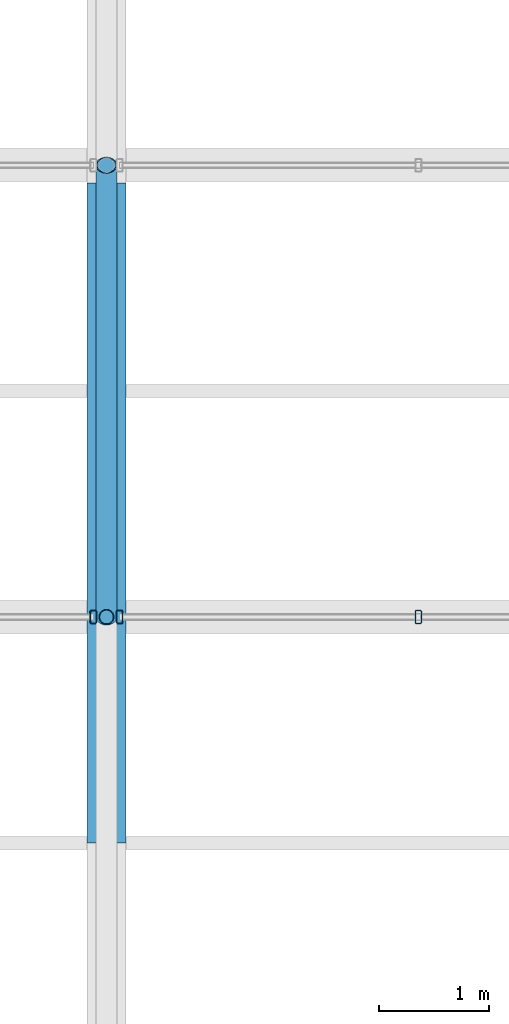
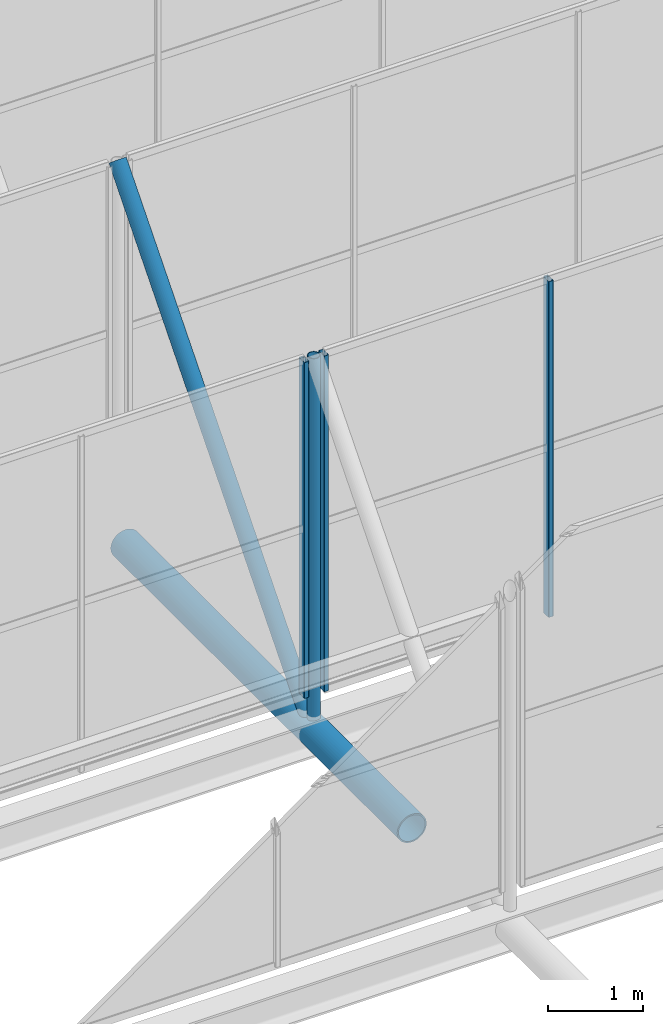
# One storey, part 24 of 77: 6 members, 2 elements without a shape of their own.
"""IFC4 building model written with IfcOpenShell, lengths in metres."""

import ifcopenshell
import ifcopenshell.guid

model = None  # the IFC model being written
_history = None  # IfcOwnerHistory: only IFC2X3 demands one
_inside = {}  # id of a spatial element -> (the spatial element, [elements in it])
_under = {}  # id of a project, library or spatial element -> (it, [spatial elements below it])
_declared = {}  # id of a project -> (the project, [libraries it declares])
_typed = {}  # id of a type object -> (the type object, [elements of that type])
_made_of = {}  # id of a material, layer set ... -> (it, [elements and type objects made of it])


def new_model(schema):
    """Start an empty IFC model of exactly this schema.

    Asked for "IFC4X3", IfcOpenShell would pick the latest addendum, in which some entities
    have other attributes; the version numbers below select the first issue.
    IFC2X3 requires an IfcOwnerHistory on every rooted entity: one is made here for all.
    """
    global model, _history
    if schema == "IFC4X3":
        model = ifcopenshell.file(schema_version=(4, 3, 0, 0))
    else:
        model = ifcopenshell.file(schema=schema)
    _inside.clear()
    _under.clear()
    _declared.clear()
    _typed.clear()
    _made_of.clear()
    _history = None
    if model.schema == "IFC2X3":
        org = make("IfcOrganization", Name="unknown")
        user = make(
            "IfcPersonAndOrganization",
            ThePerson=make("IfcPerson", FamilyName="unknown"),
            TheOrganization=org,
        )
        app = make(
            "IfcApplication",
            ApplicationDeveloper=org,
            Version="unknown",
            ApplicationFullName="unknown",
            ApplicationIdentifier="unknown",
        )
        _history = make(
            "IfcOwnerHistory",
            OwningUser=user,
            OwningApplication=app,
            ChangeAction="ADDED",
            CreationDate=0,
        )
    return model


def make(cls, **values):
    """One entity of the class cls with the attributes given. An attribute that is None is left unset."""
    return model.create_entity(
        cls, **{name: value for name, value in values.items() if value is not None}
    )


def rooted(cls, **values):
    """An entity with a GlobalId (a new one), such as an element, a storey or a relation."""
    return make(cls, GlobalId=ifcopenshell.guid.new(), OwnerHistory=_history, **values)


def si_unit(unit_type, name, prefix=None):
    """IfcSIUnit, for example si_unit("LENGTHUNIT", "METRE", prefix="MILLI")."""
    return make("IfcSIUnit", UnitType=unit_type, Prefix=prefix, Name=name)


def derived_unit(unit_type, elements):
    """IfcDerivedUnit: a product of units, each with its exponent."""
    return make(
        "IfcDerivedUnit",
        Elements=[
            make("IfcDerivedUnitElement", Unit=unit, Exponent=power)
            for unit, power in elements
        ],
        UnitType=unit_type,
    )


def assignment(units):
    """IfcUnitAssignment: the units of a project."""
    return None if units is None else make("IfcUnitAssignment", Units=units)


def point(xyz):
    """IfcCartesianPoint."""
    return None if xyz is None else make("IfcCartesianPoint", Coordinates=xyz)


def direction(xyz):
    """IfcDirection."""
    return None if xyz is None else make("IfcDirection", DirectionRatios=xyz)


def frame(location, z_axis=None, x_axis=None):
    """IfcAxis2Placement3D, a coordinate frame: its origin and axes. An axis left out is left unset."""
    return make(
        "IfcAxis2Placement3D",
        Location=point(location),
        Axis=direction(z_axis),
        RefDirection=direction(x_axis),
    )


def frame_2d(location, x_axis=None):
    """IfcAxis2Placement2D, a coordinate frame in the plane: its origin and x axis."""
    return make(
        "IfcAxis2Placement2D", Location=point(location), RefDirection=direction(x_axis)
    )


def origin():
    """The frame at (0, 0, 0) with its axes left unset."""
    return frame((0.0, 0.0, 0.0))


def origin_2d():
    """The frame at (0, 0) in the plane with its x axis left unset."""
    return frame_2d((0.0, 0.0))


def place(relative_to, where):
    """IfcLocalPlacement: puts the frame where relative to a parent placement (None: the world)."""
    return make(
        "IfcLocalPlacement", PlacementRelTo=relative_to, RelativePlacement=where
    )


def context(
    kind, dimensions, precision=None, world=None, true_north=None, identifier=None
):
    """IfcGeometricRepresentationContext, for example the 3D "Model" context."""
    return make(
        "IfcGeometricRepresentationContext",
        ContextIdentifier=identifier,
        ContextType=kind,
        CoordinateSpaceDimension=dimensions,
        Precision=precision,
        WorldCoordinateSystem=world,
        TrueNorth=true_north,
    )


def subcontext(parent, identifier, kind, view, scale=None):
    """IfcGeometricRepresentationSubContext, for example "Body" below "Model"."""
    return make(
        "IfcGeometricRepresentationSubContext",
        ContextIdentifier=identifier,
        ContextType=kind,
        ParentContext=parent,
        TargetScale=scale,
        TargetView=view,
    )


def project(units=None, contexts=None):
    """IfcProject with its units and contexts."""
    return rooted(
        "IfcProject",
        Name="project",
        RepresentationContexts=contexts,
        UnitsInContext=assignment(units),
    )


def spatial(cls, under=None, at=None, **own):
    """A site, building, storey or space (cls), placed at a placement, below another one or the project."""
    s = rooted(cls, ObjectPlacement=at, **own)
    if under is not None:
        _under.setdefault(under.id(), (under, []))[1].append(s)
    return s


def profile(cls, at=None, kind="AREA", **sizes):
    """A parametric profile (cls). Its sizes go by their IFC names, for example OverallWidth=200.0."""
    return make(cls, ProfileType=kind, Position=at, **sizes)


def hollow_rectangle(**sizes):
    """IfcRectangleHollowProfileDef."""
    return profile("IfcRectangleHollowProfileDef", **sizes)


def hollow_circle(**sizes):
    """IfcCircleHollowProfileDef."""
    return profile("IfcCircleHollowProfileDef", **sizes)


def extrude(swept, where, along, depth):
    """IfcExtrudedAreaSolid: the profile swept, set in the frame where, extruded along a direction by depth."""
    return make(
        "IfcExtrudedAreaSolid",
        SweptArea=swept,
        Position=where,
        ExtrudedDirection=direction(along),
        Depth=depth,
    )


def shape(context_of_items, identifier, shape_type, items):
    """IfcShapeRepresentation: the items that make up one representation, for example the "Body"."""
    return make(
        "IfcShapeRepresentation",
        ContextOfItems=context_of_items,
        RepresentationIdentifier=identifier,
        RepresentationType=shape_type,
        Items=items,
    )


def material(Name=None, Category=None):
    """IfcMaterial."""
    return make("IfcMaterial", Name=Name, Category=Category)


def material_profile(
    of_material, cross_section, Name=None, Category=None, Priority=None
):
    """IfcMaterialProfile: a cross section and its material."""
    return make(
        "IfcMaterialProfile",
        Name=Name,
        Material=of_material,
        Profile=cross_section,
        Priority=Priority,
        Category=Category,
    )


def profile_set(profiles, Name=None, composite=None):
    """IfcMaterialProfileSet."""
    return make(
        "IfcMaterialProfileSet",
        Name=Name,
        MaterialProfiles=profiles,
        CompositeProfile=composite,
    )


def made_of(thing, what):
    """Note that an element or type object is made of a material, layer set ...; save() writes the relation."""
    if what is not None:
        _made_of.setdefault(what.id(), (what, []))[1].append(thing)
    return thing


def type_object(cls, material=None, **own):
    """A type object (cls), such as IfcWallType, which elements share."""
    return made_of(rooted(cls, **own), material)


def element(
    cls,
    number,
    at=None,
    inside=None,
    cuts=None,
    type_object=None,
    material=None,
    context=None,
    identifier="Body",
    shape_type=None,
    held_by="IfcProductDefinitionShape",
    body=None,
    shapes=None,
    **own,
):
    """One element of the class cls, such as IfcWall. Its Tag is "e" and its number.

    at: its placement. inside: the storey or other place that contains it. cuts: it is an
    opening in that element (IfcRelVoidsElement). A single representation is given by context,
    identifier, shape_type and body (its items); several are given by shapes. held_by: the class
    of the entity that holds the representations. save() writes the other relations.
    """
    e = rooted(cls, Tag="e%d" % number, ObjectPlacement=at, **own)
    if body is not None:
        shapes = [shape(context, identifier, shape_type, body)]
    if shapes is not None:
        e.Representation = make(held_by, Representations=shapes)
    if inside is not None:
        _inside.setdefault(inside.id(), (inside, []))[1].append(e)
    if cuts is not None:
        rooted(
            "IfcRelVoidsElement", RelatingBuildingElement=cuts, RelatedOpeningElement=e
        )
    if type_object is not None:
        _typed.setdefault(type_object.id(), (type_object, []))[1].append(e)
    return made_of(e, material)


def aggregate(whole, parts):
    """IfcRelAggregates: a whole, such as a stair, and the parts it consists of."""
    return rooted("IfcRelAggregates", RelatingObject=whole, RelatedObjects=parts)


def save(model, path):
    """Write the relations noted so far, then the file.

    IfcRelAggregates (storeys below a building ...), IfcRelContainedInSpatialStructure (elements
    in a storey), IfcRelDefinesByType, IfcRelAssociatesMaterial and IfcRelDeclares: one each for
    every whole, place, type object, material and project.
    """
    for whole, parts in _under.values():
        aggregate(whole, parts)
    for where, things in _inside.values():
        rooted(
            "IfcRelContainedInSpatialStructure",
            RelatedElements=things,
            RelatingStructure=where,
        )
    for kind, things in _typed.values():
        rooted("IfcRelDefinesByType", RelatedObjects=things, RelatingType=kind)
    for what, things in _made_of.values():
        rooted("IfcRelAssociatesMaterial", RelatedObjects=things, RelatingMaterial=what)
    for by, libraries in _declared.values():
        rooted("IfcRelDeclares", RelatingContext=by, RelatedDefinitions=libraries)
    model.write(path)


model = new_model("IFC4")

# Units and contexts
model_context = context("Model", 3, precision=1e-05, world=origin(), true_north=direction((0.0, 1.0)))
body_context = subcontext(model_context, "Body", "Model", "MODEL_VIEW")
ifc_project = project(units=[si_unit("LENGTHUNIT", "METRE"), si_unit("AREAUNIT", "SQUARE_METRE"), si_unit("VOLUMEUNIT", "CUBIC_METRE"), si_unit("PLANEANGLEUNIT", "RADIAN"), si_unit("MASSUNIT", "GRAM", prefix="KILO"), derived_unit("THERMALTRANSMITTANCEUNIT", [(si_unit("MASSUNIT", "GRAM", prefix="KILO"), 1), (si_unit("TIMEUNIT", "SECOND"), -3), (si_unit("THERMODYNAMICTEMPERATUREUNIT", "KELVIN"), -1)])], contexts=[model_context])

# Site, building, storey
site_placement = place(None, origin())
site = spatial("IfcSite", under=ifc_project, at=site_placement, CompositionType="ELEMENT")
building_placement = place(site_placement, origin())
building = spatial("IfcBuilding", under=site, at=building_placement, Name="Kharveza Railside Sports Centre", CompositionType="ELEMENT")
storey_placement = place(building_placement, frame((0.0, 0.0, 17.10009765625)))
storey = spatial("IfcBuildingStorey", under=building, at=storey_placement, Name="L04", CompositionType="ELEMENT", Elevation=17.10009765625)

# Curtain wall, member
ifc_material_1 = material(Name="Low-E solar-control laminated glass", Category="glass")
curtain_wall_type = type_object("IfcCurtainWallType", Name="CW-NL01", PredefinedType="NOTDEFINED", material=ifc_material_1)
curtain_wall_1_placement = place(storey_placement, origin())
curtain_wall_1 = element("IfcCurtainWall", 1, at=curtain_wall_1_placement, inside=storey, type_object=curtain_wall_type, Name="CW-V1NL-4-2", PredefinedType="NOTDEFINED")
ifc_material_2 = material(Name="Anodised aluminium 6063-T6", Category="aluminium")
ifc_material_profile_1 = material_profile(ifc_material_2, hollow_rectangle(XDim=0.06005859375, YDim=0.1201171875, WallThickness=0.0048828125, InnerFilletRadius=0.0048828125, OuterFilletRadius=0.010009765625, at=origin_2d()), Name="RHS 60x120x5.0")
ifc_profile_set_1 = profile_set([ifc_material_profile_1], Name="Anodised aluminium 6063-T6")
member_type_1 = type_object("IfcMemberType", Name="CW-ML05", PredefinedType="MULLION", material=ifc_profile_set_1)
member_1_placement = place(storey_placement, frame((50.280029296875, 52.45703125, -0.550048828125), z_axis=(0.0, 0.0, 1.0), x_axis=(1.0, 0.0, 0.0)))
member_1 = element("IfcMember", 2, at=member_1_placement, type_object=member_type_1, Name="CW-V1NL-4-2-ML4", PredefinedType="MULLION", context=body_context, shape_type="SweptSolid", body=[
    extrude(hollow_rectangle(XDim=0.06005859375, YDim=0.1201171875, WallThickness=0.0048828125, InnerFilletRadius=0.0048828125, OuterFilletRadius=0.010009765625, at=origin_2d()), origin(), (0.0, 0.0, 1.0), 4.300048828125),
])
aggregate(curtain_wall_1, [member_1])

# Curtain wall, members
curtain_wall_2_placement = place(storey_placement, origin())
curtain_wall_2 = element("IfcCurtainWall", 3, at=curtain_wall_2_placement, inside=storey, type_object=curtain_wall_type, Name="CW-V1NL-4-3", PredefinedType="NOTDEFINED")
member_2_placement = place(storey_placement, frame((50.52001953125, 52.45703125, -0.550048828125), z_axis=(0.0, 0.0, 1.0), x_axis=(1.0, 0.0, 0.0)))
member_2 = element("IfcMember", 4, at=member_2_placement, type_object=member_type_1, Name="CW-V1NL-4-3-ML1", PredefinedType="MULLION", context=body_context, shape_type="SweptSolid", body=[
    extrude(hollow_rectangle(XDim=0.06005859375, YDim=0.1201171875, WallThickness=0.0048828125, InnerFilletRadius=0.0048828125, OuterFilletRadius=0.010009765625, at=origin_2d()), origin(), (0.0, 0.0, 1.0), 4.300048828125),
])
member_3_placement = place(storey_placement, frame((53.239990234375, 52.45703125, -0.550048828125), z_axis=(0.0, 0.0, 1.0), x_axis=(1.0, 0.0, 0.0)))
member_3 = element("IfcMember", 5, at=member_3_placement, type_object=member_type_1, Name="CW-V1NL-4-3-ML2", PredefinedType="MULLION", context=body_context, shape_type="SweptSolid", body=[
    extrude(hollow_rectangle(XDim=0.06005859375, YDim=0.1201171875, WallThickness=0.0048828125, InnerFilletRadius=0.0048828125, OuterFilletRadius=0.010009765625, at=origin_2d()), origin(), (0.0, 0.0, 1.0), 4.300048828125),
])
aggregate(curtain_wall_2, [member_2, member_3])

# Members
ifc_material_3 = material(Name="Steel S355J2", Category="steel")
ifc_material_profile_2 = material_profile(ifc_material_3, hollow_circle(Radius=0.177734375, WallThickness=0.01611328125, at=origin_2d()), Name="CHS 355.6x16.0")
ifc_profile_set_2 = profile_set([ifc_material_profile_2], Name="Steel S355J2")
member_type_2 = type_object("IfcMemberType", Name="MB-CH01", PredefinedType="CHORD", material=ifc_profile_set_2)
member_4_placement = place(storey_placement, frame((50.39990234375, 50.39990234375, -1.050048828125), z_axis=(0.0, 1.0, 0.0), x_axis=(-1.0, 0.0, 0.0)))
element("IfcMember", 6, at=member_4_placement, inside=storey, type_object=member_type_2, Name="MB-V1TR-TC-3-5", PredefinedType="CHORD", context=body_context, shape_type="SweptSolid", body=[
    extrude(hollow_circle(Radius=0.177734375, WallThickness=0.01611328125, at=origin_2d()), origin(), (0.0, 0.0, 1.0), 6.009765625),
])
ifc_material_profile_3 = material_profile(ifc_material_3, hollow_circle(Radius=0.096923828125, WallThickness=0.010009765625, at=origin_2d()), Name="CHS 193.7x10.0")
ifc_profile_set_3 = profile_set([ifc_material_profile_3], Name="Steel S355J2")
member_type_3 = type_object("IfcMemberType", Name="MB-ST02", PredefinedType="STRUT", material=ifc_profile_set_3)
member_5_placement = place(storey_placement, frame((50.39990234375, 52.45703125, -1.050048828125), z_axis=(0.0, 0.650003261435, 0.759931418039), x_axis=(-1.0, 0.0, 0.0)))
element("IfcMember", 7, at=member_5_placement, inside=storey, type_object=member_type_3, Name="MB-V1SAW-RFT-5-3", PredefinedType="STRUT", context=body_context, shape_type="SweptSolid", body=[
    extrude(hollow_circle(Radius=0.096923828125, WallThickness=0.010009765625, at=origin_2d()), origin(), (0.0, 0.0, 1.0), 6.32958984375),
])
ifc_material_profile_4 = material_profile(ifc_material_3, hollow_circle(Radius=0.06982421875, WallThickness=0.008056640625, at=origin_2d()), Name="CHS 139.7x8.0")
ifc_profile_set_4 = profile_set([ifc_material_profile_4], Name="Steel S355J2")
member_type_4 = type_object("IfcMemberType", Name="MB-ST04", PredefinedType="STRUT", material=ifc_profile_set_4)
member_6_placement = place(storey_placement, frame((50.39990234375, 52.45703125, -1.050048828125), z_axis=(0.0, 0.0, 1.0), x_axis=(1.0, 0.0, 0.0)))
element("IfcMember", 8, at=member_6_placement, inside=storey, type_object=member_type_4, Name="MB-V1SAW-PST-4-3", PredefinedType="STRUT", context=body_context, shape_type="SweptSolid", body=[
    extrude(hollow_circle(Radius=0.06982421875, WallThickness=0.008056640625, at=origin_2d()), origin(), (0.0, 0.0, 1.0), 4.81005859375),
])

save(model, "model.ifc")
